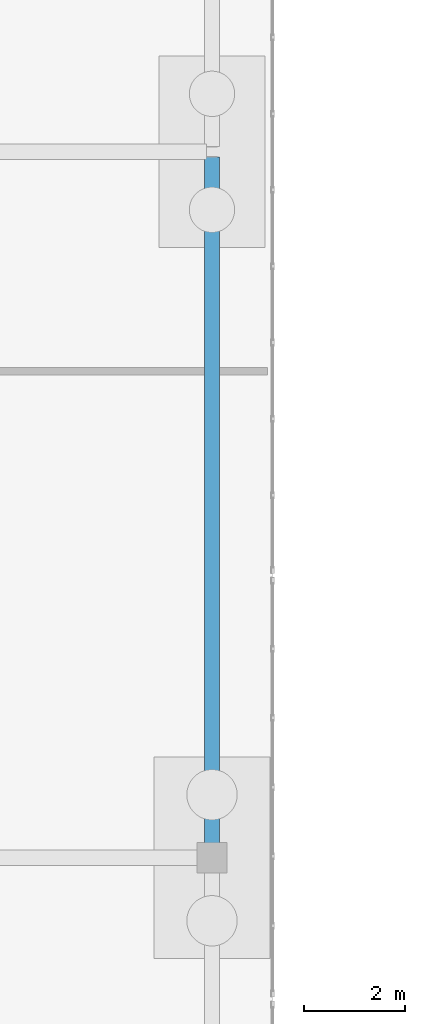
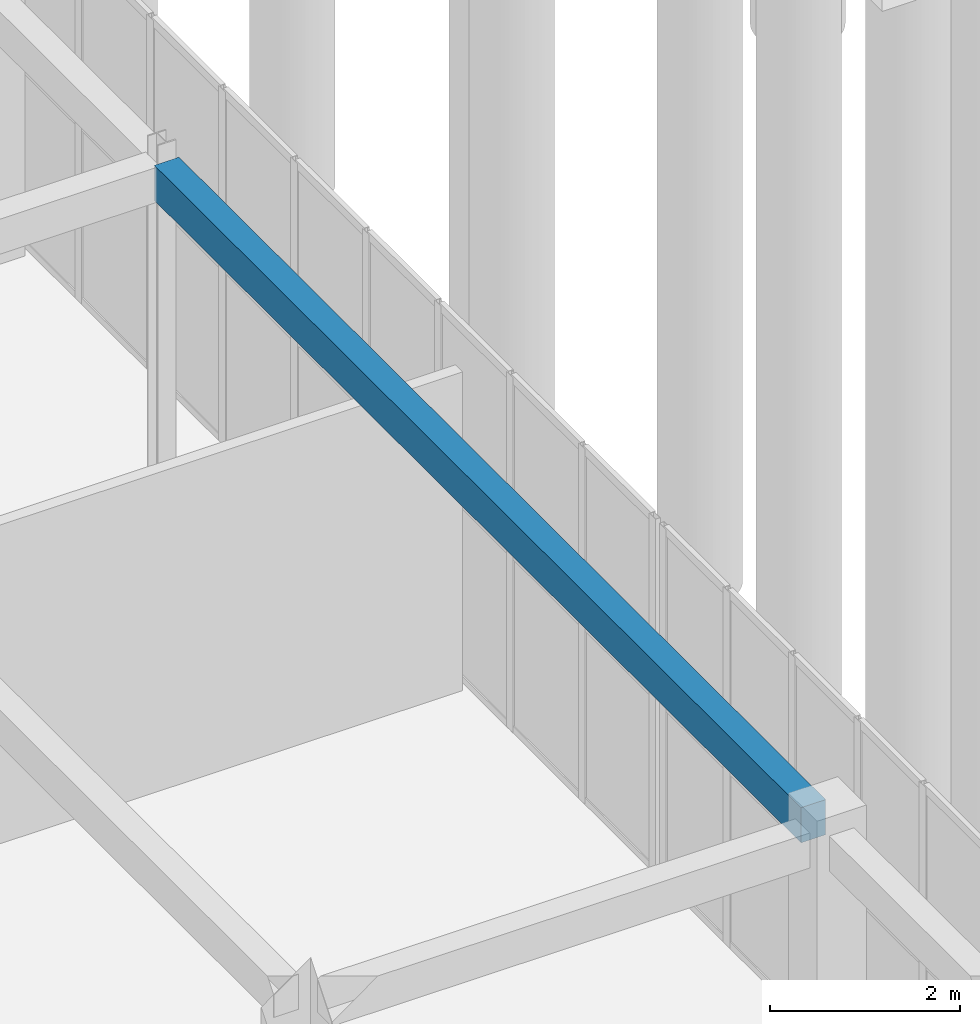
# One storey, part 77 of 192: 1 beam.
"""IFC4 building model written with IfcOpenShell, lengths in metres."""

from ifc_helpers import new_model, si_unit, direction, frame, origin, origin_2d, place, context, subcontext, project, spatial, rectangle, extrude, material, material_profile, profile_set, type_object, element, save


model = new_model("IFC4")

# Units and contexts
model_context = context("Model", 3, precision=1e-05, world=origin(), true_north=direction((0.0, 1.0)))
body_context = subcontext(model_context, "Body", "Model", "MODEL_VIEW")
ifc_project = project(units=[si_unit("LENGTHUNIT", "METRE"), si_unit("AREAUNIT", "SQUARE_METRE"), si_unit("VOLUMEUNIT", "CUBIC_METRE"), si_unit("PLANEANGLEUNIT", "RADIAN"), si_unit("MASSUNIT", "GRAM", prefix="KILO")], contexts=[model_context])

# Site, building, storey
site_placement = place(None, origin())
site = spatial("IfcSite", under=ifc_project, at=site_placement, CompositionType="ELEMENT")
building_placement = place(site_placement, origin())
building = spatial("IfcBuilding", under=site, at=building_placement, Name="Trelvath General Hospital", CompositionType="ELEMENT")
storey_placement = place(building_placement, origin())
storey = spatial("IfcBuildingStorey", under=building, at=storey_placement, Name="L00", CompositionType="ELEMENT", Elevation=0.0)

# Beam
ifc_material = material(Name="Concrete C35/45", Category="concrete")
ifc_material_profile = material_profile(ifc_material, rectangle(XDim=0.300048828125, YDim=0.449951171875, at=origin_2d()), Name="RCB300x450")
ifc_profile_set = profile_set([ifc_material_profile], Name="Concrete C35/45")
beam_type = type_object("IfcBeamType", Name="Beam RC300x450", PredefinedType="BEAM", material=ifc_profile_set)
beam_placement = place(storey_placement, frame((120.0, 45.095947265625, 4.3349609375), z_axis=(0.0, 1.0, 0.0), x_axis=(-1.0, 0.0, 0.0)))
element("IfcBeam", 1, at=beam_placement, inside=storey, type_object=beam_type, Name="Cube Interior Ring Beam CUBE-E-T0 L00", PredefinedType="BEAM", context=body_context, shape_type="SweptSolid", body=[
    extrude(rectangle(XDim=0.300048828125, YDim=0.449951171875, at=origin_2d()), origin(), (0.0, 0.0, 1.0), 13.59814453125),
])

save(model, "model.ifc")
